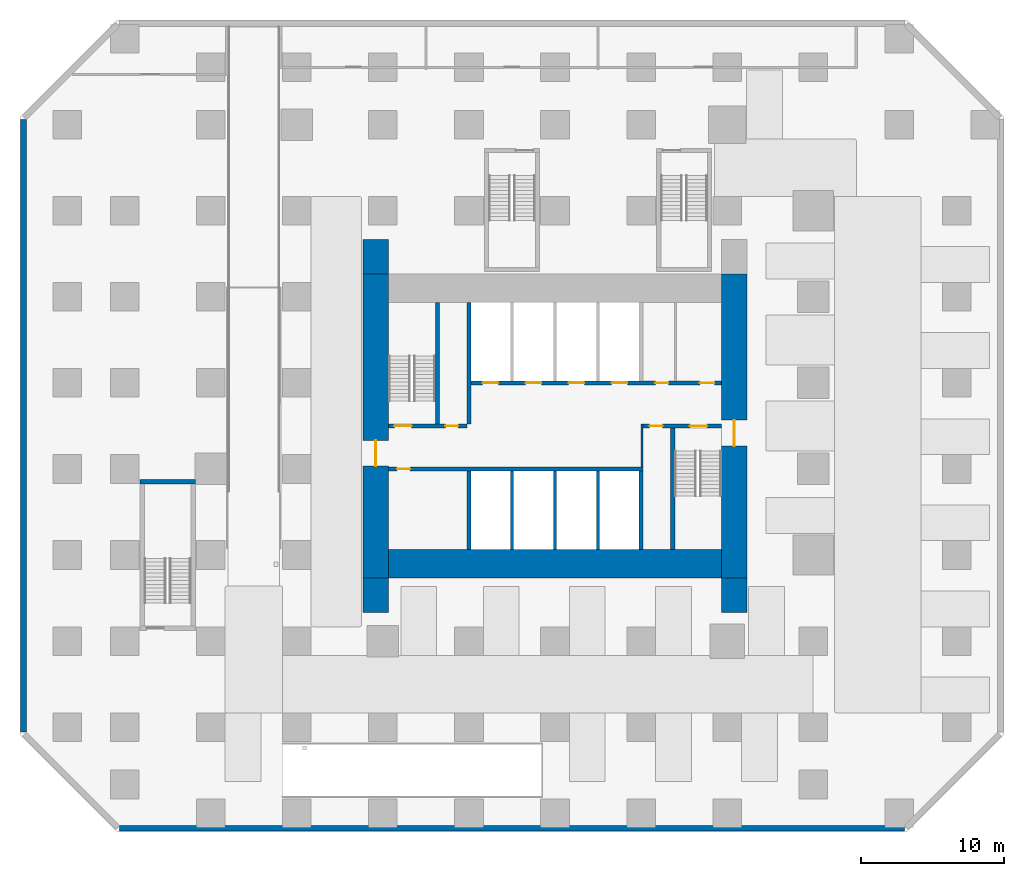
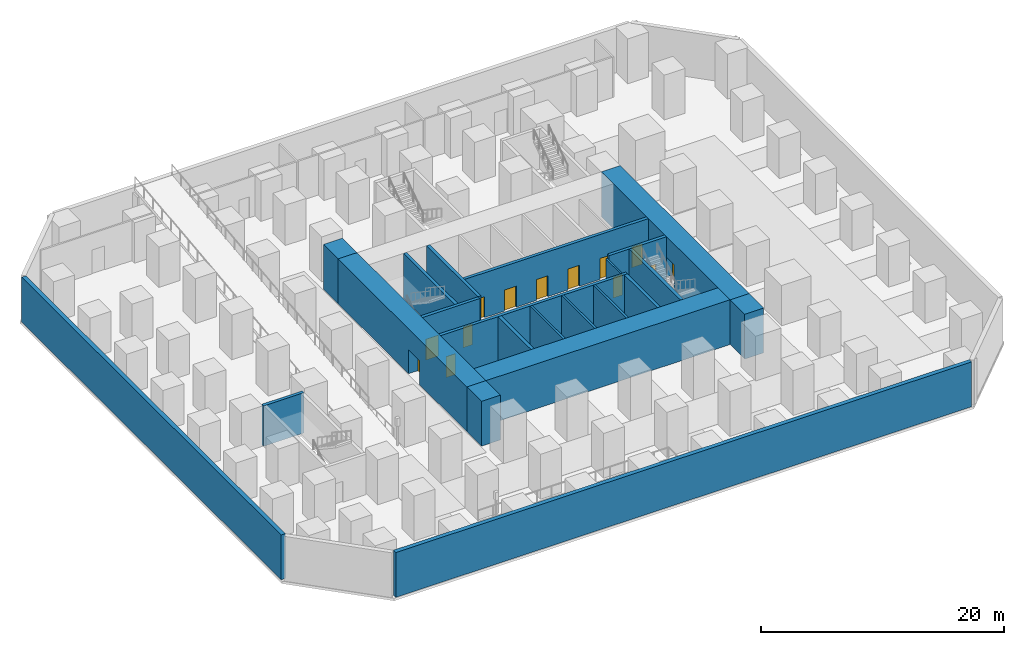
# One storey, part 2 of 6: 22 walls, 13 doors, 13 openings.
"""IFC4 building model written with IfcOpenShell, lengths in metres."""

from ifc_helpers import new_model, si_unit, direction, frame, frame_2d, origin, place, context, subcontext, project, spatial, rectangle, extrude, material, layer, layer_set, type_object, element, fill, save


model = new_model("IFC4")

# Units and contexts
model_context = context("Model", 3, precision=1e-05, world=origin(), true_north=direction((0.0, 1.0)))
body_context = subcontext(model_context, "Body", "Model", "MODEL_VIEW")
ifc_project = project(units=[si_unit("LENGTHUNIT", "METRE"), si_unit("AREAUNIT", "SQUARE_METRE"), si_unit("VOLUMEUNIT", "CUBIC_METRE"), si_unit("PLANEANGLEUNIT", "RADIAN"), si_unit("MASSUNIT", "GRAM", prefix="KILO")], contexts=[model_context])

# Site, building, storey
site_placement = place(None, origin())
site = spatial("IfcSite", under=ifc_project, at=site_placement, CompositionType="ELEMENT")
building_placement = place(site_placement, origin())
building = spatial("IfcBuilding", under=site, at=building_placement, Name="Highveld Stack Headquarters", CompositionType="ELEMENT")
storey_placement = place(building_placement, frame((0.0, 0.0, -4.5)))
storey = spatial("IfcBuildingStorey", under=building, at=storey_placement, Name="B1", CompositionType="ELEMENT", Elevation=-4.5)

# Walls
ifc_material_1 = material(Name="Concrete C60/75", Category="concrete")
ifc_layer_1 = layer(ifc_material_1, 0.39990234375)
ifc_layer_set_1 = layer_set([ifc_layer_1], Name="Concrete C60/75")
wall_type_1 = type_object("IfcWallType", Name="BASEMENT RETAINING WALL 400", PredefinedType="USERDEFINED", material=ifc_layer_set_1)
wall_1_placement = place(storey_placement, frame((-31.050048828125, -18.35009765625, 0.0), z_axis=(0.0, 0.0, 1.0), x_axis=(0.0, 1.0, 0.0)))
element("IfcWall", 1, at=wall_1_placement, inside=storey, type_object=wall_type_1, Name="Basement retaining wall B1 2", ObjectType="RETAINING WALL", PredefinedType="USERDEFINED", context=body_context, shape_type="SweptSolid", body=[
    extrude(rectangle(XDim=42.7001953125, YDim=0.39990234375, at=frame_2d((21.35009765625, 0.0))), origin(), (0.0, 0.0, 1.0), 4.5),
])
wall_2_placement = place(storey_placement, frame((30.35009765625, -25.050048828125, 0.0), z_axis=(0.0, 0.0, 1.0), x_axis=(-1.0, 0.0, 0.0)))
element("IfcWall", 2, at=wall_2_placement, inside=storey, type_object=wall_type_1, Name="Basement retaining wall B1 8", ObjectType="RETAINING WALL", PredefinedType="USERDEFINED", context=body_context, shape_type="SweptSolid", body=[
    extrude(rectangle(XDim=54.7001953125, YDim=0.39990234375, at=frame_2d((27.35009765625, 0.0))), origin(), (0.0, 0.0, 1.0), 4.5),
])

# Wall, opening, door
ifc_material_2 = material(Name="Concrete C60/75", Category="concrete")
ifc_layer_2 = layer(ifc_material_2, 1.800048828125)
ifc_layer_set_2 = layer_set([ifc_layer_2], Name="Concrete C60/75")
wall_type_2 = type_object("IfcWallType", Name="CORE WALL 1800 C60/75", PredefinedType="SHEAR", material=ifc_layer_set_2)
wall_3_placement = place(storey_placement, frame((-6.5, -7.60009765625, 0.0), z_axis=(0.0, 0.0, 1.0), x_axis=(0.0, 1.0, 0.0)))
wall_3 = element("IfcWall", 3, at=wall_3_placement, inside=storey, type_object=wall_type_2, Name="Core wall W B1", PredefinedType="SHEAR", context=body_context, shape_type="SweptSolid", body=[
    extrude(rectangle(XDim=21.2001953125, YDim=1.800048828125, at=frame_2d((10.60009765625, 0.0))), origin(), (0.0, 0.0, 1.0), 4.5),
])
opening_1_placement = place(wall_3_placement, frame((7.800048828125, 0.0, 0.0)))
opening_1 = element("IfcOpeningElement", 4, at=opening_1_placement, cuts=wall_3, Name="Opening B1-01", PredefinedType="OPENING", context=body_context, shape_type="SweptSolid", body=[
    extrude(rectangle(XDim=1.800048828125, YDim=2.39990234375, at=frame_2d((0.89990234375, 1.199951171875))), frame((0.0, 0.909912109375, 0.0), z_axis=(0.0, -1.0, 0.0), x_axis=(1.0, 0.0, 0.0)), (0.0, 0.0, 1.0), 1.820068359375),
])
ifc_material_3 = material(Name="Steel fire door", Category="steel")
door_type_1 = type_object("IfcDoorType", Name="LOBBY FIRE DOOR D4 1800x2400", OperationType="DOUBLE_DOOR_SINGLE_SWING", PredefinedType="DOOR", material=ifc_material_3)
door_1_placement = place(opening_1_placement, origin())
door_1 = element("IfcDoor", 5, at=door_1_placement, inside=storey, type_object=door_type_1, Name="Core west door B1", OperationType="DOUBLE_DOOR_SINGLE_SWING", OverallHeight=2.39990234375, OverallWidth=1.800048828125, PredefinedType="DOOR", context=body_context, shape_type="SweptSolid", body=[
    extrude(rectangle(XDim=1.800048828125, YDim=2.39990234375, at=frame_2d((0.89990234375, 1.199951171875))), frame((0.0, 0.02490234375, 0.0), z_axis=(0.0, -1.0, 0.0), x_axis=(1.0, 0.0, 0.0)), (0.0, 0.0, 1.0), 0.050048828125),
])
fill(opening_1, door_1)

wall_4_placement = place(storey_placement, frame((18.5, -7.60009765625, 0.0), z_axis=(0.0, 0.0, 1.0), x_axis=(0.0, 1.0, 0.0)))
wall_4 = element("IfcWall", 6, at=wall_4_placement, inside=storey, type_object=wall_type_2, Name="Core wall E B1", PredefinedType="SHEAR", context=body_context, shape_type="SweptSolid", body=[
    extrude(rectangle(XDim=21.2001953125, YDim=1.800048828125, at=frame_2d((10.60009765625, 0.0))), origin(), (0.0, 0.0, 1.0), 4.5),
])
opening_2_placement = place(wall_4_placement, frame((9.199951171875, 0.0, 0.0)))
opening_2 = element("IfcOpeningElement", 7, at=opening_2_placement, cuts=wall_4, Name="Opening B1-02", PredefinedType="OPENING", context=body_context, shape_type="SweptSolid", body=[
    extrude(rectangle(XDim=1.800048828125, YDim=2.39990234375, at=frame_2d((0.89990234375, 1.199951171875))), frame((0.0, 0.909912109375, 0.0), z_axis=(0.0, -1.0, 0.0), x_axis=(1.0, 0.0, 0.0)), (0.0, 0.0, 1.0), 1.820068359375),
])
door_2_placement = place(opening_2_placement, origin())
door_2 = element("IfcDoor", 8, at=door_2_placement, inside=storey, type_object=door_type_1, Name="Core east door B1", OperationType="DOUBLE_DOOR_SINGLE_SWING", OverallHeight=2.39990234375, OverallWidth=1.800048828125, PredefinedType="DOOR", context=body_context, shape_type="SweptSolid", body=[
    extrude(rectangle(XDim=1.800048828125, YDim=2.39990234375, at=frame_2d((0.89990234375, 1.199951171875))), frame((0.0, 0.02490234375, 0.0), z_axis=(0.0, -1.0, 0.0), x_axis=(1.0, 0.0, 0.0)), (0.0, 0.0, 1.0), 0.050048828125),
])
fill(opening_2, door_2)

# Wall
ifc_material_4 = material(Name="Concrete C60/75", Category="concrete")
ifc_layer_3 = layer(ifc_material_4, 2.0)
ifc_layer_set_3 = layer_set([ifc_layer_3], Name="Concrete C60/75")
wall_type_3 = type_object("IfcWallType", Name="CORE WALL 2000 C60/75", PredefinedType="SHEAR", material=ifc_layer_set_3)
wall_5_placement = place(storey_placement, frame((-5.60009765625, -6.60009765625, 0.0), z_axis=(0.0, 0.0, 1.0), x_axis=(1.0, 0.0, 0.0)))
element("IfcWall", 9, at=wall_5_placement, inside=storey, type_object=wall_type_3, Name="Core wall S B1", PredefinedType="SHEAR", context=body_context, shape_type="SweptSolid", body=[
    extrude(rectangle(XDim=23.2001953125, YDim=2.0, at=frame_2d((11.60009765625, 0.0))), origin(), (0.0, 0.0, 1.0), 4.5),
])

# Wall, opening, door
ifc_material_5 = material(Name="Concrete C60/75", Category="concrete")
ifc_layer_4 = layer(ifc_material_5, 0.300048828125)
ifc_layer_set_4 = layer_set([ifc_layer_4], Name="Concrete C60/75")
wall_type_4 = type_object("IfcWallType", Name="CORE WALL 300 C60/75", PredefinedType="SHEAR", material=ifc_layer_set_4)
wall_6_placement = place(storey_placement, frame((-5.60009765625, 0.0, 0.0), z_axis=(0.0, 0.0, 1.0), x_axis=(1.0, 0.0, 0.0)))
wall_6 = element("IfcWall", 10, at=wall_6_placement, inside=storey, type_object=wall_type_4, Name="Core wall I-Y0 B1", PredefinedType="SHEAR", context=body_context, shape_type="SweptSolid", body=[
    extrude(rectangle(XDim=17.75, YDim=0.300048828125, at=frame_2d((8.875, 0.0))), origin(), (0.0, 0.0, 1.0), 4.5),
])
opening_3_placement = place(wall_6_placement, frame((0.60009765625, 0.0, 0.0)))
opening_3 = element("IfcOpeningElement", 11, at=opening_3_placement, cuts=wall_6, Name="Opening B1-07", PredefinedType="OPENING", context=body_context, shape_type="SweptSolid", body=[
    extrude(rectangle(XDim=0.89990234375, YDim=2.10009765625, at=frame_2d((0.449951171875, 1.050048828125))), frame((0.0, 0.159912109375, 0.0), z_axis=(0.0, -1.0, 0.0), x_axis=(1.0, 0.0, 0.0)), (0.0, 0.0, 1.0), 0.320068359375),
])
ifc_material_6 = material(Name="Timber door, painted", Category="wood")
door_type_2 = type_object("IfcDoorType", Name="WC DOOR D1 900x2100", OperationType="SINGLE_SWING_LEFT", PredefinedType="DOOR", material=ifc_material_6)
door_3_placement = place(opening_3_placement, origin())
door_3 = element("IfcDoor", 12, at=door_3_placement, inside=storey, type_object=door_type_2, Name="Female WC door B1", OperationType="SINGLE_SWING_LEFT", OverallHeight=2.10009765625, OverallWidth=0.89990234375, PredefinedType="DOOR", context=body_context, shape_type="SweptSolid", body=[
    extrude(rectangle(XDim=0.89990234375, YDim=2.10009765625, at=frame_2d((0.449951171875, 1.050048828125))), frame((0.0, 0.02490234375, 0.0), z_axis=(0.0, -1.0, 0.0), x_axis=(1.0, 0.0, 0.0)), (0.0, 0.0, 1.0), 0.050048828125),
])
fill(opening_3, door_3)

# Wall, openings, doors
wall_7_placement = place(storey_placement, frame((-5.60009765625, 3.0, 0.0), z_axis=(0.0, 0.0, 1.0), x_axis=(1.0, 0.0, 0.0)))
wall_7 = element("IfcWall", 13, at=wall_7_placement, inside=storey, type_object=wall_type_4, Name="Core wall I-Y3W B1", PredefinedType="SHEAR", context=body_context, shape_type="SweptSolid", body=[
    extrude(rectangle(XDim=5.4501953125, YDim=0.300048828125, at=frame_2d((2.72509765625, 0.0))), origin(), (0.0, 0.0, 1.0), 4.5),
])
opening_4_placement = place(wall_7_placement, frame((0.39990234375, 0.0, 0.0)))
opening_4 = element("IfcOpeningElement", 14, at=opening_4_placement, cuts=wall_7, Name="Opening B1-03", PredefinedType="OPENING", context=body_context, shape_type="SweptSolid", body=[
    extrude(rectangle(XDim=1.199951171875, YDim=2.10009765625, at=frame_2d((0.60009765625, 1.050048828125))), frame((0.0, 0.159912109375, 0.0), z_axis=(0.0, -1.0, 0.0), x_axis=(1.0, 0.0, 0.0)), (0.0, 0.0, 1.0), 0.320068359375),
])
opening_5_placement = place(wall_7_placement, frame((3.949951171875, 0.0, 0.0)))
opening_5 = element("IfcOpeningElement", 15, at=opening_5_placement, cuts=wall_7, Name="Opening B1-04", PredefinedType="OPENING", context=body_context, shape_type="SweptSolid", body=[
    extrude(rectangle(XDim=0.89990234375, YDim=2.10009765625, at=frame_2d((0.449951171875, 1.050048828125))), frame((0.0, 0.159912109375, 0.0), z_axis=(0.0, -1.0, 0.0), x_axis=(1.0, 0.0, 0.0)), (0.0, 0.0, 1.0), 0.320068359375),
])
ifc_material_7 = material(Name="Steel fire door", Category="steel")
door_type_3 = type_object("IfcDoorType", Name="RISER ACCESS DOOR D5 900x2100", OperationType="SINGLE_SWING_LEFT", PredefinedType="DOOR", material=ifc_material_7)
door_4_placement = place(opening_5_placement, origin())
door_4 = element("IfcDoor", 16, at=door_4_placement, inside=storey, type_object=door_type_3, Name="Riser R1 door B1", OperationType="SINGLE_SWING_RIGHT", OverallHeight=2.10009765625, OverallWidth=0.89990234375, PredefinedType="DOOR", context=body_context, shape_type="SweptSolid", body=[
    extrude(rectangle(XDim=0.89990234375, YDim=2.10009765625, at=frame_2d((0.449951171875, 1.050048828125))), frame((0.0, 0.02490234375, 0.0), z_axis=(0.0, -1.0, 0.0), x_axis=(1.0, 0.0, 0.0)), (0.0, 0.0, 1.0), 0.050048828125),
])
fill(opening_5, door_4)
ifc_material_8 = material(Name="Steel fire door", Category="steel")
door_type_4 = type_object("IfcDoorType", Name="STAIR FIRE DOOR D3 1200x2100", OperationType="SINGLE_SWING_LEFT", PredefinedType="DOOR", material=ifc_material_8)
door_5_placement = place(opening_4_placement, origin())
door_5 = element("IfcDoor", 17, at=door_5_placement, inside=storey, type_object=door_type_4, Name="Stair S1 door B1", OperationType="SINGLE_SWING_LEFT", OverallHeight=2.10009765625, OverallWidth=1.199951171875, PredefinedType="DOOR", context=body_context, shape_type="SweptSolid", body=[
    extrude(rectangle(XDim=1.199951171875, YDim=2.10009765625, at=frame_2d((0.60009765625, 1.050048828125))), frame((0.0, 0.02490234375, 0.0), z_axis=(0.0, -1.0, 0.0), x_axis=(1.0, 0.0, 0.0)), (0.0, 0.0, 1.0), 0.050048828125),
])
fill(opening_4, door_5)

wall_8_placement = place(storey_placement, frame((12.14990234375, 3.0, 0.0), z_axis=(0.0, 0.0, 1.0), x_axis=(1.0, 0.0, 0.0)))
wall_8 = element("IfcWall", 18, at=wall_8_placement, inside=storey, type_object=wall_type_4, Name="Core wall I-Y3E B1", PredefinedType="SHEAR", context=body_context, shape_type="SweptSolid", body=[
    extrude(rectangle(XDim=5.4501953125, YDim=0.300048828125, at=frame_2d((2.72509765625, 0.0))), origin(), (0.0, 0.0, 1.0), 4.5),
])
opening_6_placement = place(wall_8_placement, frame((3.25, 0.0, 0.0)))
opening_6 = element("IfcOpeningElement", 19, at=opening_6_placement, cuts=wall_8, Name="Opening B1-05", PredefinedType="OPENING", context=body_context, shape_type="SweptSolid", body=[
    extrude(rectangle(XDim=1.199951171875, YDim=2.10009765625, at=frame_2d((0.60009765625, 1.050048828125))), frame((0.0, 0.159912109375, 0.0), z_axis=(0.0, -1.0, 0.0), x_axis=(1.0, 0.0, 0.0)), (0.0, 0.0, 1.0), 0.320068359375),
])
opening_7_placement = place(wall_8_placement, frame((0.449951171875, 0.0, 0.0)))
opening_7 = element("IfcOpeningElement", 20, at=opening_7_placement, cuts=wall_8, Name="Opening B1-06", PredefinedType="OPENING", context=body_context, shape_type="SweptSolid", body=[
    extrude(rectangle(XDim=0.89990234375, YDim=2.10009765625, at=frame_2d((0.449951171875, 1.050048828125))), frame((0.0, 0.159912109375, 0.0), z_axis=(0.0, -1.0, 0.0), x_axis=(1.0, 0.0, 0.0)), (0.0, 0.0, 1.0), 0.320068359375),
])
door_6_placement = place(opening_7_placement, origin())
door_6 = element("IfcDoor", 21, at=door_6_placement, inside=storey, type_object=door_type_3, Name="Riser R2 door B1", OperationType="SINGLE_SWING_LEFT", OverallHeight=2.10009765625, OverallWidth=0.89990234375, PredefinedType="DOOR", context=body_context, shape_type="SweptSolid", body=[
    extrude(rectangle(XDim=0.89990234375, YDim=2.10009765625, at=frame_2d((0.449951171875, 1.050048828125))), frame((0.0, 0.02490234375, 0.0), z_axis=(0.0, -1.0, 0.0), x_axis=(1.0, 0.0, 0.0)), (0.0, 0.0, 1.0), 0.050048828125),
])
fill(opening_7, door_6)
door_7_placement = place(opening_6_placement, origin())
door_7 = element("IfcDoor", 22, at=door_7_placement, inside=storey, type_object=door_type_4, Name="Stair S2 door B1", OperationType="SINGLE_SWING_RIGHT", OverallHeight=2.10009765625, OverallWidth=1.199951171875, PredefinedType="DOOR", context=body_context, shape_type="SweptSolid", body=[
    extrude(rectangle(XDim=1.199951171875, YDim=2.10009765625, at=frame_2d((0.60009765625, 1.050048828125))), frame((0.0, 0.02490234375, 0.0), z_axis=(0.0, -1.0, 0.0), x_axis=(1.0, 0.0, 0.0)), (0.0, 0.0, 1.0), 0.050048828125),
])
fill(opening_6, door_7)

wall_9_placement = place(storey_placement, frame((-0.14990234375, 6.0, 0.0), z_axis=(0.0, 0.0, 1.0), x_axis=(1.0, 0.0, 0.0)))
wall_9 = element("IfcWall", 23, at=wall_9_placement, inside=storey, type_object=wall_type_4, Name="Core wall I-Y6 B1", PredefinedType="SHEAR", context=body_context, shape_type="SweptSolid", body=[
    extrude(rectangle(XDim=17.75, YDim=0.300048828125, at=frame_2d((8.875, 0.0))), origin(), (0.0, 0.0, 1.0), 4.5),
])
opening_8_placement = place(wall_9_placement, frame((13.14990234375, 0.0, 0.0)))
opening_8 = element("IfcOpeningElement", 24, at=opening_8_placement, cuts=wall_9, Name="Opening B1-08", PredefinedType="OPENING", context=body_context, shape_type="SweptSolid", body=[
    extrude(rectangle(XDim=0.89990234375, YDim=2.10009765625, at=frame_2d((0.449951171875, 1.050048828125))), frame((0.0, 0.159912109375, 0.0), z_axis=(0.0, -1.0, 0.0), x_axis=(1.0, 0.0, 0.0)), (0.0, 0.0, 1.0), 0.320068359375),
])
opening_9_placement = place(wall_9_placement, frame((16.25, 0.0, 0.0)))
opening_9 = element("IfcOpeningElement", 25, at=opening_9_placement, cuts=wall_9, Name="Opening B1-09", PredefinedType="OPENING", context=body_context, shape_type="SweptSolid", body=[
    extrude(rectangle(XDim=1.0, YDim=2.10009765625, at=frame_2d((0.5, 1.050048828125))), frame((0.0, 0.159912109375, 0.0), z_axis=(0.0, -1.0, 0.0), x_axis=(1.0, 0.0, 0.0)), (0.0, 0.0, 1.0), 0.320068359375),
])
opening_10_placement = place(wall_9_placement, frame((1.10009765625, 0.0, 0.0)))
opening_10 = element("IfcOpeningElement", 26, at=opening_10_placement, cuts=wall_9, Name="Opening LD", PredefinedType="OPENING", context=body_context, shape_type="SweptSolid", body=[
    extrude(rectangle(XDim=1.10009765625, YDim=2.10009765625, at=frame_2d((0.550048828125, 1.050048828125))), frame((0.0, 0.159912109375, 0.0), z_axis=(0.0, -1.0, 0.0), x_axis=(1.0, 0.0, 0.0)), (0.0, 0.0, 1.0), 0.320068359375),
])
opening_11_placement = place(wall_9_placement, frame((4.10009765625, 0.0, 0.0)))
opening_11 = element("IfcOpeningElement", 27, at=opening_11_placement, cuts=wall_9, Name="Opening LD", PredefinedType="OPENING", context=body_context, shape_type="SweptSolid", body=[
    extrude(rectangle(XDim=1.10009765625, YDim=2.10009765625, at=frame_2d((0.550048828125, 1.050048828125))), frame((0.0, 0.159912109375, 0.0), z_axis=(0.0, -1.0, 0.0), x_axis=(1.0, 0.0, 0.0)), (0.0, 0.0, 1.0), 0.320068359375),
])
opening_12_placement = place(wall_9_placement, frame((7.10009765625, 0.0, 0.0)))
opening_12 = element("IfcOpeningElement", 28, at=opening_12_placement, cuts=wall_9, Name="Opening LD", PredefinedType="OPENING", context=body_context, shape_type="SweptSolid", body=[
    extrude(rectangle(XDim=1.10009765625, YDim=2.10009765625, at=frame_2d((0.550048828125, 1.050048828125))), frame((0.0, 0.159912109375, 0.0), z_axis=(0.0, -1.0, 0.0), x_axis=(1.0, 0.0, 0.0)), (0.0, 0.0, 1.0), 0.320068359375),
])
opening_13_placement = place(wall_9_placement, frame((10.10009765625, 0.0, 0.0)))
opening_13 = element("IfcOpeningElement", 29, at=opening_13_placement, cuts=wall_9, Name="Opening LD", PredefinedType="OPENING", context=body_context, shape_type="SweptSolid", body=[
    extrude(rectangle(XDim=1.10009765625, YDim=2.10009765625, at=frame_2d((0.550048828125, 1.050048828125))), frame((0.0, 0.159912109375, 0.0), z_axis=(0.0, -1.0, 0.0), x_axis=(1.0, 0.0, 0.0)), (0.0, 0.0, 1.0), 0.320068359375),
])
ifc_material_9 = material(Name="Timber door, painted", Category="wood")
door_type_5 = type_object("IfcDoorType", Name="ACCESSIBLE WC DOOR D2 1000x2100", OperationType="SINGLE_SWING_RIGHT", PredefinedType="DOOR", material=ifc_material_9)
door_8_placement = place(opening_9_placement, origin())
door_8 = element("IfcDoor", 30, at=door_8_placement, inside=storey, type_object=door_type_5, Name="Accessible WC door B1", OperationType="SINGLE_SWING_RIGHT", OverallHeight=2.10009765625, OverallWidth=1.0, PredefinedType="DOOR", context=body_context, shape_type="SweptSolid", body=[
    extrude(rectangle(XDim=1.0, YDim=2.10009765625, at=frame_2d((0.5, 1.050048828125))), frame((0.0, 0.02490234375, 0.0), z_axis=(0.0, -1.0, 0.0), x_axis=(1.0, 0.0, 0.0)), (0.0, 0.0, 1.0), 0.050048828125),
])
fill(opening_9, door_8)
ifc_material_10 = material(Name="Stainless steel lift landing door", Category="steel")
door_type_6 = type_object("IfcDoorType", Name="LIFT LANDING DOOR LD 1100x2100", OperationType="DOUBLE_DOOR_SLIDING", PredefinedType="USERDEFINED", material=ifc_material_10)
door_9_placement = place(opening_10_placement, origin())
door_9 = element("IfcDoor", 31, at=door_9_placement, inside=storey, type_object=door_type_6, Name="Lift landing door FF1 B1", ObjectType="LIFT LANDING DOOR", OperationType="DOUBLE_DOOR_SLIDING", OverallHeight=2.10009765625, OverallWidth=1.10009765625, PredefinedType="USERDEFINED", context=body_context, shape_type="SweptSolid", body=[
    extrude(rectangle(XDim=1.10009765625, YDim=2.10009765625, at=frame_2d((0.550048828125, 1.050048828125))), frame((0.0, 0.02490234375, 0.0), z_axis=(0.0, -1.0, 0.0), x_axis=(1.0, 0.0, 0.0)), (0.0, 0.0, 1.0), 0.050048828125),
])
fill(opening_10, door_9)
door_10_placement = place(opening_11_placement, origin())
door_10 = element("IfcDoor", 32, at=door_10_placement, inside=storey, type_object=door_type_6, Name="Lift landing door FF2 B1", ObjectType="LIFT LANDING DOOR", OperationType="DOUBLE_DOOR_SLIDING", OverallHeight=2.10009765625, OverallWidth=1.10009765625, PredefinedType="USERDEFINED", context=body_context, shape_type="SweptSolid", body=[
    extrude(rectangle(XDim=1.10009765625, YDim=2.10009765625, at=frame_2d((0.550048828125, 1.050048828125))), frame((0.0, 0.02490234375, 0.0), z_axis=(0.0, -1.0, 0.0), x_axis=(1.0, 0.0, 0.0)), (0.0, 0.0, 1.0), 0.050048828125),
])
fill(opening_11, door_10)
door_11_placement = place(opening_12_placement, origin())
door_11 = element("IfcDoor", 33, at=door_11_placement, inside=storey, type_object=door_type_6, Name="Lift landing door A1 B1", ObjectType="LIFT LANDING DOOR", OperationType="DOUBLE_DOOR_SLIDING", OverallHeight=2.10009765625, OverallWidth=1.10009765625, PredefinedType="USERDEFINED", context=body_context, shape_type="SweptSolid", body=[
    extrude(rectangle(XDim=1.10009765625, YDim=2.10009765625, at=frame_2d((0.550048828125, 1.050048828125))), frame((0.0, 0.02490234375, 0.0), z_axis=(0.0, -1.0, 0.0), x_axis=(1.0, 0.0, 0.0)), (0.0, 0.0, 1.0), 0.050048828125),
])
fill(opening_12, door_11)
door_12_placement = place(opening_13_placement, origin())
door_12 = element("IfcDoor", 34, at=door_12_placement, inside=storey, type_object=door_type_6, Name="Lift landing door A2 B1", ObjectType="LIFT LANDING DOOR", OperationType="DOUBLE_DOOR_SLIDING", OverallHeight=2.10009765625, OverallWidth=1.10009765625, PredefinedType="USERDEFINED", context=body_context, shape_type="SweptSolid", body=[
    extrude(rectangle(XDim=1.10009765625, YDim=2.10009765625, at=frame_2d((0.550048828125, 1.050048828125))), frame((0.0, 0.02490234375, 0.0), z_axis=(0.0, -1.0, 0.0), x_axis=(1.0, 0.0, 0.0)), (0.0, 0.0, 1.0), 0.050048828125),
])
fill(opening_13, door_12)
door_13_placement = place(opening_8_placement, origin())
door_13 = element("IfcDoor", 35, at=door_13_placement, inside=storey, type_object=door_type_2, Name="Male WC door B1", OperationType="SINGLE_SWING_RIGHT", OverallHeight=2.10009765625, OverallWidth=0.89990234375, PredefinedType="DOOR", context=body_context, shape_type="SweptSolid", body=[
    extrude(rectangle(XDim=0.89990234375, YDim=2.10009765625, at=frame_2d((0.449951171875, 1.050048828125))), frame((0.0, 0.02490234375, 0.0), z_axis=(0.0, -1.0, 0.0), x_axis=(1.0, 0.0, 0.0)), (0.0, 0.0, 1.0), 0.050048828125),
])
fill(opening_8, door_13)

# Walls
wall_10_placement = place(storey_placement, frame((0.0, -5.60009765625, 0.0), z_axis=(0.0, 0.0, 1.0), x_axis=(0.0, 1.0, 0.0)))
element("IfcWall", 36, at=wall_10_placement, inside=storey, type_object=wall_type_4, Name="Core wall I-X0S B1", PredefinedType="SHEAR", context=body_context, shape_type="SweptSolid", body=[
    extrude(rectangle(XDim=5.4501953125, YDim=0.300048828125, at=frame_2d((2.72509765625, 0.0))), origin(), (0.0, 0.0, 1.0), 4.5),
])
wall_11_placement = place(storey_placement, frame((0.0, 3.14990234375, 0.0), z_axis=(0.0, 0.0, 1.0), x_axis=(0.0, 1.0, 0.0)))
element("IfcWall", 37, at=wall_11_placement, inside=storey, type_object=wall_type_4, Name="Core wall I-X0N B1", PredefinedType="SHEAR", context=body_context, shape_type="SweptSolid", body=[
    extrude(rectangle(XDim=8.4501953125, YDim=0.300048828125, at=frame_2d((4.22509765625, 0.0))), origin(), (0.0, 0.0, 1.0), 4.5),
])
wall_12_placement = place(storey_placement, frame((12.0, -5.60009765625, 0.0), z_axis=(0.0, 0.0, 1.0), x_axis=(0.0, 1.0, 0.0)))
element("IfcWall", 38, at=wall_12_placement, inside=storey, type_object=wall_type_4, Name="Core wall I-X12S B1", PredefinedType="SHEAR", context=body_context, shape_type="SweptSolid", body=[
    extrude(rectangle(XDim=5.4501953125, YDim=0.300048828125, at=frame_2d((2.72509765625, 0.0))), origin(), (0.0, 0.0, 1.0), 4.5),
])
for number, where, z_axis, x_axis, name in (
    (39, (-2.199951171875, 3.14990234375, 0.0), (0.0, 0.0, 1.0), (0.0, 1.0, 0.0), "Core wall I-RW B1"),
    (40, (14.199951171875, -5.60009765625, 0.0), (0.0, 0.0, 1.0), (0.0, 1.0, 0.0), "Core wall I-RE B1"),
):
    element("IfcWall", number, at=place(storey_placement, frame(where, z_axis=z_axis, x_axis=x_axis)), inside=storey, type_object=wall_type_4, Name=name, PredefinedType="SHEAR", context=body_context, shape_type="SweptSolid", body=[
        extrude(rectangle(XDim=8.4501953125, YDim=0.300048828125, at=frame_2d((4.22509765625, 0.0))), origin(), (0.0, 0.0, 1.0), 4.5),
    ])
ifc_material_11 = material(Name="Concrete C60/75", Category="concrete")
ifc_layer_5 = layer(ifc_material_11, 1.800048828125)
ifc_layer_set_5 = layer_set([ifc_layer_5], Name="Concrete C60/75")
wall_type_5 = type_object("IfcWallType", Name="CORE WING WALL 1800 C60/75", PredefinedType="SHEAR", material=ifc_layer_set_5)
for number, where, z_axis, x_axis, name in (
    (41, (-6.5, -10.0, 0.0), (0.0, 0.0, 1.0), (0.0, 1.0, 0.0), "Core wing wall WS B1"),
    (42, (-6.5, 13.60009765625, 0.0), (0.0, 0.0, 1.0), (0.0, 1.0, 0.0), "Core wing wall WN B1"),
    (43, (18.5, -10.0, 0.0), (0.0, 0.0, 1.0), (0.0, 1.0, 0.0), "Core wing wall ES B1"),
):
    element("IfcWall", number, at=place(storey_placement, frame(where, z_axis=z_axis, x_axis=x_axis)), inside=storey, type_object=wall_type_5, Name=name, PredefinedType="SHEAR", context=body_context, shape_type="SweptSolid", body=[
        extrude(rectangle(XDim=2.39990234375, YDim=1.800048828125, at=frame_2d((1.199951171875, 0.0))), origin(), (0.0, 0.0, 1.0), 4.5),
    ])
ifc_material_12 = material(Name="Concrete blockwork, plastered", Category="masonry")
ifc_layer_6 = layer(ifc_material_12, 0.14990234375)
ifc_layer_set_6 = layer_set([ifc_layer_6], Name="Concrete blockwork, plastered")
wall_type_6 = type_object("IfcWallType", Name="FIRE PARTITION 150 BLOCKWORK", PredefinedType="PARTITIONING", material=ifc_layer_set_6)
wall_13_placement = place(storey_placement, frame((12.074951171875, 0.14990234375, 0.0), z_axis=(0.0, 0.0, 1.0), x_axis=(0.0, 1.0, 0.0)))
element("IfcWall", 44, at=wall_13_placement, inside=storey, type_object=wall_type_6, Name="Riser R2 enclosure B1", PredefinedType="PARTITIONING", context=body_context, shape_type="SweptSolid", body=[
    extrude(rectangle(XDim=3.0, YDim=0.14990234375, at=frame_2d((1.5, 0.0))), origin(), (0.0, 0.0, 1.0), 4.050048828125),
])
ifc_material_13 = material(Name="Concrete blockwork, fair-faced", Category="masonry")
ifc_layer_7 = layer(ifc_material_13, 0.199951171875)
ifc_layer_set_7 = layer_set([ifc_layer_7], Name="Concrete blockwork, fair-faced")
wall_type_7 = type_object("IfcWallType", Name="LIFT SHAFT ENCLOSURE WALL 200 BLOCKWORK", PredefinedType="SOLIDWALL", material=ifc_layer_set_7)
for number, where, z_axis, x_axis, name in (
    (45, (3.0, -5.60009765625, 0.0), (0.0, 0.0, 1.0), (0.0, 1.0, 0.0), "Lift shaft wall B1"),
    (46, (6.0, -5.60009765625, 0.0), (0.0, 0.0, 1.0), (0.0, 1.0, 0.0), "Lift shaft wall B1"),
    (47, (9.0, -5.60009765625, 0.0), (0.0, 0.0, 1.0), (0.0, 1.0, 0.0), "Lift shaft wall B1"),
):
    element("IfcWall", number, at=place(storey_placement, frame(where, z_axis=z_axis, x_axis=x_axis)), inside=storey, type_object=wall_type_7, Name=name, PredefinedType="SOLIDWALL", context=body_context, shape_type="SweptSolid", body=[
        extrude(rectangle(XDim=5.4501953125, YDim=0.199951171875, at=frame_2d((2.72509765625, 0.0))), origin(), (0.0, 0.0, 1.0), 4.5),
    ])
ifc_material_14 = material(Name="Concrete C40/50", Category="concrete")
ifc_layer_8 = layer(ifc_material_14, 0.300048828125)
ifc_layer_set_8 = layer_set([ifc_layer_8], Name="Concrete C40/50")
wall_type_8 = type_object("IfcWallType", Name="STAIR ENCLOSURE WALL 300", PredefinedType="SOLIDWALL", material=ifc_layer_set_8)
wall_14_placement = place(storey_placement, frame((-22.925048828125, -0.89990234375, 0.0), z_axis=(0.0, 0.0, 1.0), x_axis=(1.0, 0.0, 0.0)))
element("IfcWall", 48, at=wall_14_placement, inside=storey, type_object=wall_type_8, Name="Stair PS1 enclosure N B1", PredefinedType="SOLIDWALL", context=body_context, shape_type="SweptSolid", body=[
    extrude(rectangle(XDim=3.85009765625, YDim=0.300048828125, at=frame_2d((1.925048828125, 0.0))), origin(), (0.0, 0.0, 1.0), 4.050048828125),
])

save(model, "model.ifc")
